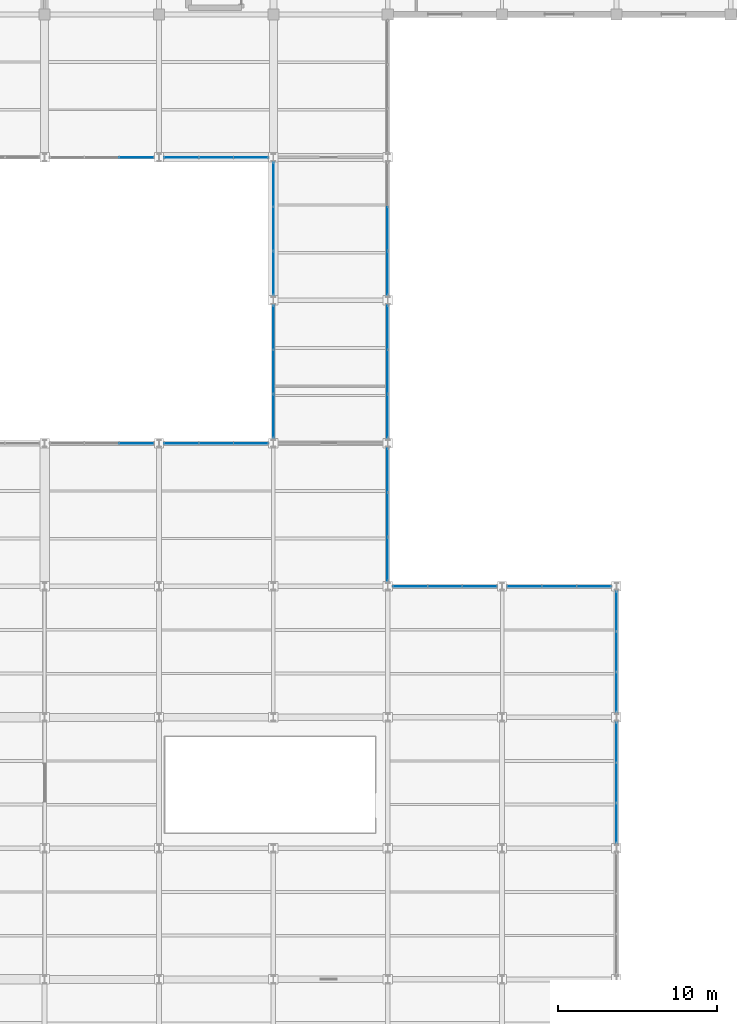
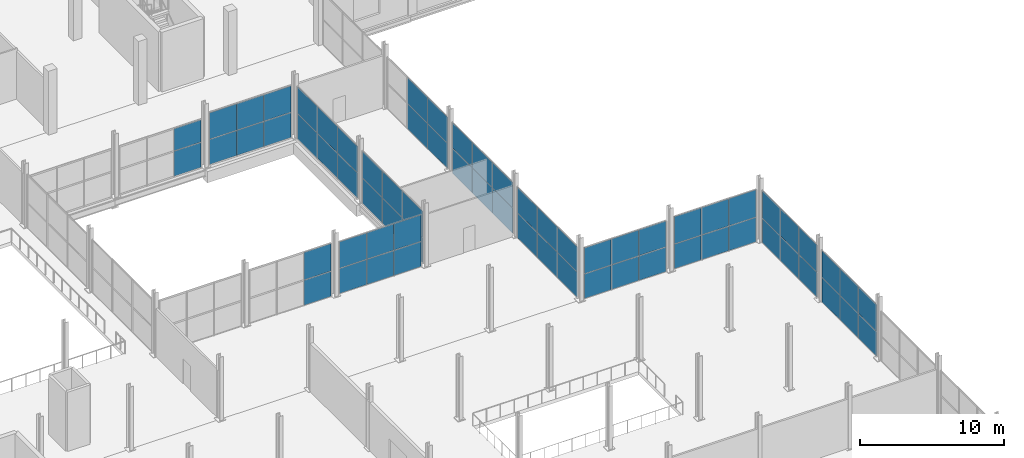
# One storey, part 118 of 147: 68 plates, 13 elements without a shape of their own.
"""IFC4 building model written with IfcOpenShell, lengths in metres."""

from ifc_helpers import new_model, si_unit, direction, frame, origin, origin_2d, place, context, subcontext, project, spatial, rectangle, extrude, material, layer, layer_set, type_object, element, aggregate, save


model = new_model("IFC4")

# Units and contexts
model_context = context("Model", 3, precision=1e-05, world=origin(), true_north=direction((0.0, 1.0)))
body_context = subcontext(model_context, "Body", "Model", "MODEL_VIEW")
ifc_project = project(units=[si_unit("LENGTHUNIT", "METRE"), si_unit("AREAUNIT", "SQUARE_METRE"), si_unit("VOLUMEUNIT", "CUBIC_METRE"), si_unit("PLANEANGLEUNIT", "RADIAN"), si_unit("MASSUNIT", "GRAM", prefix="KILO")], contexts=[model_context])

# Site, building, storey
site_placement = place(None, origin())
site = spatial("IfcSite", under=ifc_project, at=site_placement, CompositionType="ELEMENT")
building_placement = place(site_placement, origin())
building = spatial("IfcBuilding", under=site, at=building_placement, Name="Sundgate Opera House", CompositionType="ELEMENT")
storey_placement = place(building_placement, frame((0.0, 0.0, 6.0)))
storey = spatial("IfcBuildingStorey", under=building, at=storey_placement, Name="L01", CompositionType="ELEMENT", Elevation=6.0)

# Curtain wall, plates
ifc_material_1 = material(Name="Anodized aluminium and low-iron glass", Category="aluminium")
ifc_layer_1 = layer(ifc_material_1, 0.159912109375)
ifc_layer_set_1 = layer_set([ifc_layer_1], Name="Anodized aluminium and low-iron glass")
curtain_wall_type_1 = type_object("IfcCurtainWallType", Name="CW-STUDIO-DARK", PredefinedType="NOTDEFINED", material=ifc_layer_set_1)
curtain_wall_1_placement = place(storey_placement, origin())
curtain_wall_1 = element("IfcCurtainWall", 1, at=curtain_wall_1_placement, inside=storey, type_object=curtain_wall_type_1, Name="L01 Curtain Wall CW045", PredefinedType="NOTDEFINED")
ifc_material_2 = material(Name="Dark solar-control triple acoustic glazing", Category="glass")
ifc_layer_2 = layer(ifc_material_2, 0.031982421875)
ifc_layer_set_2 = layer_set([ifc_layer_2], Name="Dark solar-control triple acoustic glazing")
plate_type = type_object("IfcPlateType", Name="CWP-DARK-32", PredefinedType="CURTAIN_PANEL", material=ifc_layer_set_2)
plate_1_placement = place(storey_placement, frame((145.800048828125, 34.716552734375, 0.02001953125), z_axis=(0.0, 0.0, 1.0), x_axis=(0.0, 1.0, 0.0)))
plate_1 = element("IfcPlate", 2, at=plate_1_placement, type_object=plate_type, Name="CW045 Panel 1", PredefinedType="CURTAIN_PANEL", context=body_context, shape_type="SweptSolid", body=[
    extrude(rectangle(XDim=2.743408203125, YDim=0.031982421875, at=origin_2d()), origin(), (0.0, 0.0, 1.0), 2.110107421875),
])
plate_2_placement = place(storey_placement, frame((145.800048828125, 34.716552734375, 2.169921875), z_axis=(0.0, 0.0, 1.0), x_axis=(0.0, 1.0, 0.0)))
plate_2 = element("IfcPlate", 3, at=plate_2_placement, type_object=plate_type, Name="CW045 Panel 2", PredefinedType="CURTAIN_PANEL", context=body_context, shape_type="SweptSolid", body=[
    extrude(rectangle(XDim=2.743408203125, YDim=0.031982421875, at=origin_2d()), origin(), (0.0, 0.0, 1.0), 2.125),
])
plate_3_placement = place(storey_placement, frame((145.800048828125, 37.5, 0.02001953125), z_axis=(0.0, 0.0, 1.0), x_axis=(0.0, 1.0, 0.0)))
plate_3 = element("IfcPlate", 4, at=plate_3_placement, type_object=plate_type, Name="CW045 Panel 3", PredefinedType="CURTAIN_PANEL", context=body_context, shape_type="SweptSolid", body=[
    extrude(rectangle(XDim=2.743408203125, YDim=0.031982421875, at=origin_2d()), origin(), (0.0, 0.0, 1.0), 2.110107421875),
])
plate_4_placement = place(storey_placement, frame((145.800048828125, 37.5, 2.169921875), z_axis=(0.0, 0.0, 1.0), x_axis=(0.0, 1.0, 0.0)))
plate_4 = element("IfcPlate", 5, at=plate_4_placement, type_object=plate_type, Name="CW045 Panel 4", PredefinedType="CURTAIN_PANEL", context=body_context, shape_type="SweptSolid", body=[
    extrude(rectangle(XDim=2.743408203125, YDim=0.031982421875, at=origin_2d()), origin(), (0.0, 0.0, 1.0), 2.125),
])
plate_5_placement = place(storey_placement, frame((145.800048828125, 40.283447265625, 0.02001953125), z_axis=(0.0, 0.0, 1.0), x_axis=(0.0, 1.0, 0.0)))
plate_5 = element("IfcPlate", 6, at=plate_5_placement, type_object=plate_type, Name="CW045 Panel 5", PredefinedType="CURTAIN_PANEL", context=body_context, shape_type="SweptSolid", body=[
    extrude(rectangle(XDim=2.743408203125, YDim=0.031982421875, at=origin_2d()), origin(), (0.0, 0.0, 1.0), 2.110107421875),
])
plate_6_placement = place(storey_placement, frame((145.800048828125, 40.283447265625, 2.169921875), z_axis=(0.0, 0.0, 1.0), x_axis=(0.0, 1.0, 0.0)))
plate_6 = element("IfcPlate", 7, at=plate_6_placement, type_object=plate_type, Name="CW045 Panel 6", PredefinedType="CURTAIN_PANEL", context=body_context, shape_type="SweptSolid", body=[
    extrude(rectangle(XDim=2.743408203125, YDim=0.031982421875, at=origin_2d()), origin(), (0.0, 0.0, 1.0), 2.125),
])
aggregate(curtain_wall_1, [plate_1, plate_2, plate_3, plate_4, plate_5, plate_6])

curtain_wall_2_placement = place(storey_placement, origin())
curtain_wall_2 = element("IfcCurtainWall", 8, at=curtain_wall_2_placement, inside=storey, type_object=curtain_wall_type_1, Name="L01 Curtain Wall CW047", PredefinedType="NOTDEFINED")
plate_7_placement = place(storey_placement, frame((145.800048828125, 43.716552734375, 0.02001953125), z_axis=(0.0, 0.0, 1.0), x_axis=(0.0, 1.0, 0.0)))
plate_7 = element("IfcPlate", 9, at=plate_7_placement, type_object=plate_type, Name="CW047 Panel 1", PredefinedType="CURTAIN_PANEL", context=body_context, shape_type="SweptSolid", body=[
    extrude(rectangle(XDim=2.743408203125, YDim=0.031982421875, at=origin_2d()), origin(), (0.0, 0.0, 1.0), 2.110107421875),
])
plate_8_placement = place(storey_placement, frame((145.800048828125, 43.716552734375, 2.169921875), z_axis=(0.0, 0.0, 1.0), x_axis=(0.0, 1.0, 0.0)))
plate_8 = element("IfcPlate", 10, at=plate_8_placement, type_object=plate_type, Name="CW047 Panel 2", PredefinedType="CURTAIN_PANEL", context=body_context, shape_type="SweptSolid", body=[
    extrude(rectangle(XDim=2.743408203125, YDim=0.031982421875, at=origin_2d()), origin(), (0.0, 0.0, 1.0), 2.125),
])
plate_9_placement = place(storey_placement, frame((145.800048828125, 46.5, 0.02001953125), z_axis=(0.0, 0.0, 1.0), x_axis=(0.0, 1.0, 0.0)))
plate_9 = element("IfcPlate", 11, at=plate_9_placement, type_object=plate_type, Name="CW047 Panel 3", PredefinedType="CURTAIN_PANEL", context=body_context, shape_type="SweptSolid", body=[
    extrude(rectangle(XDim=2.743408203125, YDim=0.031982421875, at=origin_2d()), origin(), (0.0, 0.0, 1.0), 2.110107421875),
])
plate_10_placement = place(storey_placement, frame((145.800048828125, 46.5, 2.169921875), z_axis=(0.0, 0.0, 1.0), x_axis=(0.0, 1.0, 0.0)))
plate_10 = element("IfcPlate", 12, at=plate_10_placement, type_object=plate_type, Name="CW047 Panel 4", PredefinedType="CURTAIN_PANEL", context=body_context, shape_type="SweptSolid", body=[
    extrude(rectangle(XDim=2.743408203125, YDim=0.031982421875, at=origin_2d()), origin(), (0.0, 0.0, 1.0), 2.125),
])
plate_11_placement = place(storey_placement, frame((145.800048828125, 49.283447265625, 0.02001953125), z_axis=(0.0, 0.0, 1.0), x_axis=(0.0, 1.0, 0.0)))
plate_11 = element("IfcPlate", 13, at=plate_11_placement, type_object=plate_type, Name="CW047 Panel 5", PredefinedType="CURTAIN_PANEL", context=body_context, shape_type="SweptSolid", body=[
    extrude(rectangle(XDim=2.743408203125, YDim=0.031982421875, at=origin_2d()), origin(), (0.0, 0.0, 1.0), 2.110107421875),
])
plate_12_placement = place(storey_placement, frame((145.800048828125, 49.283447265625, 2.169921875), z_axis=(0.0, 0.0, 1.0), x_axis=(0.0, 1.0, 0.0)))
plate_12 = element("IfcPlate", 14, at=plate_12_placement, type_object=plate_type, Name="CW047 Panel 6", PredefinedType="CURTAIN_PANEL", context=body_context, shape_type="SweptSolid", body=[
    extrude(rectangle(XDim=2.743408203125, YDim=0.031982421875, at=origin_2d()), origin(), (0.0, 0.0, 1.0), 2.125),
])
aggregate(curtain_wall_2, [plate_7, plate_8, plate_9, plate_10, plate_11, plate_12])

curtain_wall_3_placement = place(storey_placement, origin())
curtain_wall_3 = element("IfcCurtainWall", 15, at=curtain_wall_3_placement, inside=storey, type_object=curtain_wall_type_1, Name="L01 Curtain Wall CW049", PredefinedType="NOTDEFINED")
plate_13_placement = place(storey_placement, frame((145.800048828125, 52.716552734375, 0.02001953125), z_axis=(0.0, 0.0, 1.0), x_axis=(0.0, 1.0, 0.0)))
plate_13 = element("IfcPlate", 16, at=plate_13_placement, type_object=plate_type, Name="CW049 Panel 1", PredefinedType="CURTAIN_PANEL", context=body_context, shape_type="SweptSolid", body=[
    extrude(rectangle(XDim=2.743408203125, YDim=0.031982421875, at=origin_2d()), origin(), (0.0, 0.0, 1.0), 2.110107421875),
])
plate_14_placement = place(storey_placement, frame((145.800048828125, 52.716552734375, 2.169921875), z_axis=(0.0, 0.0, 1.0), x_axis=(0.0, 1.0, 0.0)))
plate_14 = element("IfcPlate", 17, at=plate_14_placement, type_object=plate_type, Name="CW049 Panel 2", PredefinedType="CURTAIN_PANEL", context=body_context, shape_type="SweptSolid", body=[
    extrude(rectangle(XDim=2.743408203125, YDim=0.031982421875, at=origin_2d()), origin(), (0.0, 0.0, 1.0), 2.175048828125),
])
plate_15_placement = place(storey_placement, frame((145.800048828125, 55.5, 0.02001953125), z_axis=(0.0, 0.0, 1.0), x_axis=(0.0, 1.0, 0.0)))
plate_15 = element("IfcPlate", 18, at=plate_15_placement, type_object=plate_type, Name="CW049 Panel 3", PredefinedType="CURTAIN_PANEL", context=body_context, shape_type="SweptSolid", body=[
    extrude(rectangle(XDim=2.743408203125, YDim=0.031982421875, at=origin_2d()), origin(), (0.0, 0.0, 1.0), 2.110107421875),
])
plate_16_placement = place(storey_placement, frame((145.800048828125, 55.5, 2.169921875), z_axis=(0.0, 0.0, 1.0), x_axis=(0.0, 1.0, 0.0)))
plate_16 = element("IfcPlate", 19, at=plate_16_placement, type_object=plate_type, Name="CW049 Panel 4", PredefinedType="CURTAIN_PANEL", context=body_context, shape_type="SweptSolid", body=[
    extrude(rectangle(XDim=2.743408203125, YDim=0.031982421875, at=origin_2d()), origin(), (0.0, 0.0, 1.0), 2.175048828125),
])
aggregate(curtain_wall_3, [plate_13, plate_14, plate_15, plate_16])

curtain_wall_4_placement = place(storey_placement, origin())
curtain_wall_4 = element("IfcCurtainWall", 20, at=curtain_wall_4_placement, inside=storey, type_object=curtain_wall_type_1, Name="L01 Curtain Wall CW054", PredefinedType="NOTDEFINED")
plate_17_placement = place(storey_placement, frame((129.9833984375, 42.0, 0.02001953125), z_axis=(0.0, 0.0, 1.0), x_axis=(1.0, 0.0, 0.0)))
plate_17 = element("IfcPlate", 21, at=plate_17_placement, type_object=plate_type, Name="CW054 Panel 5", PredefinedType="CURTAIN_PANEL", context=body_context, shape_type="SweptSolid", body=[
    extrude(rectangle(XDim=2.143310546875, YDim=0.031982421875, at=origin_2d()), origin(), (0.0, 0.0, 1.0), 2.110107421875),
])
plate_18_placement = place(storey_placement, frame((129.9833984375, 42.0, 2.169921875), z_axis=(0.0, 0.0, 1.0), x_axis=(1.0, 0.0, 0.0)))
plate_18 = element("IfcPlate", 22, at=plate_18_placement, type_object=plate_type, Name="CW054 Panel 6", PredefinedType="CURTAIN_PANEL", context=body_context, shape_type="SweptSolid", body=[
    extrude(rectangle(XDim=2.143310546875, YDim=0.031982421875, at=origin_2d()), origin(), (0.0, 0.0, 1.0), 2.324951171875),
])
aggregate(curtain_wall_4, [plate_17, plate_18])

curtain_wall_5_placement = place(storey_placement, origin())
curtain_wall_5 = element("IfcCurtainWall", 23, at=curtain_wall_5_placement, inside=storey, type_object=curtain_wall_type_1, Name="L01 Curtain Wall CW055", PredefinedType="NOTDEFINED")
plate_19_placement = place(storey_placement, frame((129.9833984375, 60.0, 0.02001953125), z_axis=(0.0, 0.0, 1.0), x_axis=(-1.0, 0.0, 0.0)))
plate_19 = element("IfcPlate", 24, at=plate_19_placement, type_object=plate_type, Name="CW055 Panel 1", PredefinedType="CURTAIN_PANEL", context=body_context, shape_type="SweptSolid", body=[
    extrude(rectangle(XDim=2.143310546875, YDim=0.031982421875, at=origin_2d()), origin(), (0.0, 0.0, 1.0), 2.110107421875),
])
plate_20_placement = place(storey_placement, frame((129.9833984375, 60.0, 2.169921875), z_axis=(0.0, 0.0, 1.0), x_axis=(-1.0, 0.0, 0.0)))
plate_20 = element("IfcPlate", 25, at=plate_20_placement, type_object=plate_type, Name="CW055 Panel 2", PredefinedType="CURTAIN_PANEL", context=body_context, shape_type="SweptSolid", body=[
    extrude(rectangle(XDim=2.143310546875, YDim=0.031982421875, at=origin_2d()), origin(), (0.0, 0.0, 1.0), 1.875),
])
aggregate(curtain_wall_5, [plate_19, plate_20])

curtain_wall_6_placement = place(storey_placement, origin())
curtain_wall_6 = element("IfcCurtainWall", 26, at=curtain_wall_6_placement, inside=storey, type_object=curtain_wall_type_1, Name="L01 Curtain Wall CW056", PredefinedType="NOTDEFINED")
plate_21_placement = place(storey_placement, frame((132.816650390625, 42.0, 0.02001953125), z_axis=(0.0, 0.0, 1.0), x_axis=(1.0, 0.0, 0.0)))
plate_21 = element("IfcPlate", 27, at=plate_21_placement, type_object=plate_type, Name="CW056 Panel 1", PredefinedType="CURTAIN_PANEL", context=body_context, shape_type="SweptSolid", body=[
    extrude(rectangle(XDim=2.143310546875, YDim=0.031982421875, at=origin_2d()), origin(), (0.0, 0.0, 1.0), 2.110107421875),
])
plate_22_placement = place(storey_placement, frame((132.816650390625, 42.0, 2.169921875), z_axis=(0.0, 0.0, 1.0), x_axis=(1.0, 0.0, 0.0)))
plate_22 = element("IfcPlate", 28, at=plate_22_placement, type_object=plate_type, Name="CW056 Panel 2", PredefinedType="CURTAIN_PANEL", context=body_context, shape_type="SweptSolid", body=[
    extrude(rectangle(XDim=2.143310546875, YDim=0.031982421875, at=origin_2d()), origin(), (0.0, 0.0, 1.0), 2.22509765625),
])
plate_23_placement = place(storey_placement, frame((135.0, 42.0, 0.02001953125), z_axis=(0.0, 0.0, 1.0), x_axis=(1.0, 0.0, 0.0)))
plate_23 = element("IfcPlate", 29, at=plate_23_placement, type_object=plate_type, Name="CW056 Panel 3", PredefinedType="CURTAIN_PANEL", context=body_context, shape_type="SweptSolid", body=[
    extrude(rectangle(XDim=2.143310546875, YDim=0.031982421875, at=origin_2d()), origin(), (0.0, 0.0, 1.0), 2.110107421875),
])
plate_24_placement = place(storey_placement, frame((135.0, 42.0, 2.169921875), z_axis=(0.0, 0.0, 1.0), x_axis=(1.0, 0.0, 0.0)))
plate_24 = element("IfcPlate", 30, at=plate_24_placement, type_object=plate_type, Name="CW056 Panel 4", PredefinedType="CURTAIN_PANEL", context=body_context, shape_type="SweptSolid", body=[
    extrude(rectangle(XDim=2.143310546875, YDim=0.031982421875, at=origin_2d()), origin(), (0.0, 0.0, 1.0), 2.22509765625),
])
plate_25_placement = place(storey_placement, frame((137.183349609375, 42.0, 0.02001953125), z_axis=(0.0, 0.0, 1.0), x_axis=(1.0, 0.0, 0.0)))
plate_25 = element("IfcPlate", 31, at=plate_25_placement, type_object=plate_type, Name="CW056 Panel 5", PredefinedType="CURTAIN_PANEL", context=body_context, shape_type="SweptSolid", body=[
    extrude(rectangle(XDim=2.143310546875, YDim=0.031982421875, at=origin_2d()), origin(), (0.0, 0.0, 1.0), 2.110107421875),
])
plate_26_placement = place(storey_placement, frame((137.183349609375, 42.0, 2.169921875), z_axis=(0.0, 0.0, 1.0), x_axis=(1.0, 0.0, 0.0)))
plate_26 = element("IfcPlate", 32, at=plate_26_placement, type_object=plate_type, Name="CW056 Panel 6", PredefinedType="CURTAIN_PANEL", context=body_context, shape_type="SweptSolid", body=[
    extrude(rectangle(XDim=2.143310546875, YDim=0.031982421875, at=origin_2d()), origin(), (0.0, 0.0, 1.0), 2.22509765625),
])
aggregate(curtain_wall_6, [plate_21, plate_22, plate_23, plate_24, plate_25, plate_26])

curtain_wall_7_placement = place(storey_placement, origin())
curtain_wall_7 = element("IfcCurtainWall", 33, at=curtain_wall_7_placement, inside=storey, type_object=curtain_wall_type_1, Name="L01 Curtain Wall CW057", PredefinedType="NOTDEFINED")
plate_27_placement = place(storey_placement, frame((137.183349609375, 60.0, 0.02001953125), z_axis=(0.0, 0.0, 1.0), x_axis=(-1.0, 0.0, 0.0)))
plate_27 = element("IfcPlate", 34, at=plate_27_placement, type_object=plate_type, Name="CW057 Panel 1", PredefinedType="CURTAIN_PANEL", context=body_context, shape_type="SweptSolid", body=[
    extrude(rectangle(XDim=2.143310546875, YDim=0.031982421875, at=origin_2d()), origin(), (0.0, 0.0, 1.0), 2.110107421875),
])
plate_28_placement = place(storey_placement, frame((137.183349609375, 60.0, 2.169921875), z_axis=(0.0, 0.0, 1.0), x_axis=(-1.0, 0.0, 0.0)))
plate_28 = element("IfcPlate", 35, at=plate_28_placement, type_object=plate_type, Name="CW057 Panel 2", PredefinedType="CURTAIN_PANEL", context=body_context, shape_type="SweptSolid", body=[
    extrude(rectangle(XDim=2.143310546875, YDim=0.031982421875, at=origin_2d()), origin(), (0.0, 0.0, 1.0), 2.22509765625),
])
plate_29_placement = place(storey_placement, frame((135.0, 60.0, 0.02001953125), z_axis=(0.0, 0.0, 1.0), x_axis=(-1.0, 0.0, 0.0)))
plate_29 = element("IfcPlate", 36, at=plate_29_placement, type_object=plate_type, Name="CW057 Panel 3", PredefinedType="CURTAIN_PANEL", context=body_context, shape_type="SweptSolid", body=[
    extrude(rectangle(XDim=2.143310546875, YDim=0.031982421875, at=origin_2d()), origin(), (0.0, 0.0, 1.0), 2.110107421875),
])
plate_30_placement = place(storey_placement, frame((135.0, 60.0, 2.169921875), z_axis=(0.0, 0.0, 1.0), x_axis=(-1.0, 0.0, 0.0)))
plate_30 = element("IfcPlate", 37, at=plate_30_placement, type_object=plate_type, Name="CW057 Panel 4", PredefinedType="CURTAIN_PANEL", context=body_context, shape_type="SweptSolid", body=[
    extrude(rectangle(XDim=2.143310546875, YDim=0.031982421875, at=origin_2d()), origin(), (0.0, 0.0, 1.0), 2.22509765625),
])
plate_31_placement = place(storey_placement, frame((132.816650390625, 60.0, 0.02001953125), z_axis=(0.0, 0.0, 1.0), x_axis=(-1.0, 0.0, 0.0)))
plate_31 = element("IfcPlate", 38, at=plate_31_placement, type_object=plate_type, Name="CW057 Panel 5", PredefinedType="CURTAIN_PANEL", context=body_context, shape_type="SweptSolid", body=[
    extrude(rectangle(XDim=2.143310546875, YDim=0.031982421875, at=origin_2d()), origin(), (0.0, 0.0, 1.0), 2.110107421875),
])
plate_32_placement = place(storey_placement, frame((132.816650390625, 60.0, 2.169921875), z_axis=(0.0, 0.0, 1.0), x_axis=(-1.0, 0.0, 0.0)))
plate_32 = element("IfcPlate", 39, at=plate_32_placement, type_object=plate_type, Name="CW057 Panel 6", PredefinedType="CURTAIN_PANEL", context=body_context, shape_type="SweptSolid", body=[
    extrude(rectangle(XDim=2.143310546875, YDim=0.031982421875, at=origin_2d()), origin(), (0.0, 0.0, 1.0), 2.22509765625),
])
aggregate(curtain_wall_7, [plate_27, plate_28, plate_29, plate_30, plate_31, plate_32])

curtain_wall_8_placement = place(storey_placement, origin())
curtain_wall_8 = element("IfcCurtainWall", 40, at=curtain_wall_8_placement, inside=storey, type_object=curtain_wall_type_1, Name="L01 Curtain Wall CW059", PredefinedType="NOTDEFINED")
plate_33_placement = place(storey_placement, frame((138.60009765625, 49.283447265625, 0.02001953125), z_axis=(0.0, 0.0, 1.0), x_axis=(0.0, -1.0, 0.0)))
plate_33 = element("IfcPlate", 41, at=plate_33_placement, type_object=plate_type, Name="CW059 Panel 1", PredefinedType="CURTAIN_PANEL", context=body_context, shape_type="SweptSolid", body=[
    extrude(rectangle(XDim=2.743408203125, YDim=0.031982421875, at=origin_2d()), origin(), (0.0, 0.0, 1.0), 2.110107421875),
])
plate_34_placement = place(storey_placement, frame((138.60009765625, 49.283447265625, 2.169921875), z_axis=(0.0, 0.0, 1.0), x_axis=(0.0, -1.0, 0.0)))
plate_34 = element("IfcPlate", 42, at=plate_34_placement, type_object=plate_type, Name="CW059 Panel 2", PredefinedType="CURTAIN_PANEL", context=body_context, shape_type="SweptSolid", body=[
    extrude(rectangle(XDim=2.743408203125, YDim=0.031982421875, at=origin_2d()), origin(), (0.0, 0.0, 1.0), 2.22509765625),
])
plate_35_placement = place(storey_placement, frame((138.60009765625, 46.5, 0.02001953125), z_axis=(0.0, 0.0, 1.0), x_axis=(0.0, -1.0, 0.0)))
plate_35 = element("IfcPlate", 43, at=plate_35_placement, type_object=plate_type, Name="CW059 Panel 3", PredefinedType="CURTAIN_PANEL", context=body_context, shape_type="SweptSolid", body=[
    extrude(rectangle(XDim=2.743408203125, YDim=0.031982421875, at=origin_2d()), origin(), (0.0, 0.0, 1.0), 2.110107421875),
])
plate_36_placement = place(storey_placement, frame((138.60009765625, 46.5, 2.169921875), z_axis=(0.0, 0.0, 1.0), x_axis=(0.0, -1.0, 0.0)))
plate_36 = element("IfcPlate", 44, at=plate_36_placement, type_object=plate_type, Name="CW059 Panel 4", PredefinedType="CURTAIN_PANEL", context=body_context, shape_type="SweptSolid", body=[
    extrude(rectangle(XDim=2.743408203125, YDim=0.031982421875, at=origin_2d()), origin(), (0.0, 0.0, 1.0), 2.22509765625),
])
plate_37_placement = place(storey_placement, frame((138.60009765625, 43.716552734375, 0.02001953125), z_axis=(0.0, 0.0, 1.0), x_axis=(0.0, -1.0, 0.0)))
plate_37 = element("IfcPlate", 45, at=plate_37_placement, type_object=plate_type, Name="CW059 Panel 5", PredefinedType="CURTAIN_PANEL", context=body_context, shape_type="SweptSolid", body=[
    extrude(rectangle(XDim=2.743408203125, YDim=0.031982421875, at=origin_2d()), origin(), (0.0, 0.0, 1.0), 2.110107421875),
])
plate_38_placement = place(storey_placement, frame((138.60009765625, 43.716552734375, 2.169921875), z_axis=(0.0, 0.0, 1.0), x_axis=(0.0, -1.0, 0.0)))
plate_38 = element("IfcPlate", 46, at=plate_38_placement, type_object=plate_type, Name="CW059 Panel 6", PredefinedType="CURTAIN_PANEL", context=body_context, shape_type="SweptSolid", body=[
    extrude(rectangle(XDim=2.743408203125, YDim=0.031982421875, at=origin_2d()), origin(), (0.0, 0.0, 1.0), 2.22509765625),
])
aggregate(curtain_wall_8, [plate_33, plate_34, plate_35, plate_36, plate_37, plate_38])

curtain_wall_9_placement = place(storey_placement, origin())
curtain_wall_9 = element("IfcCurtainWall", 47, at=curtain_wall_9_placement, inside=storey, type_object=curtain_wall_type_1, Name="L01 Curtain Wall CW061", PredefinedType="NOTDEFINED")
plate_39_placement = place(storey_placement, frame((138.60009765625, 58.283447265625, 0.02001953125), z_axis=(0.0, 0.0, 1.0), x_axis=(0.0, -1.0, 0.0)))
plate_39 = element("IfcPlate", 48, at=plate_39_placement, type_object=plate_type, Name="CW061 Panel 1", PredefinedType="CURTAIN_PANEL", context=body_context, shape_type="SweptSolid", body=[
    extrude(rectangle(XDim=2.743408203125, YDim=0.031982421875, at=origin_2d()), origin(), (0.0, 0.0, 1.0), 2.110107421875),
])
plate_40_placement = place(storey_placement, frame((138.60009765625, 58.283447265625, 2.169921875), z_axis=(0.0, 0.0, 1.0), x_axis=(0.0, -1.0, 0.0)))
plate_40 = element("IfcPlate", 49, at=plate_40_placement, type_object=plate_type, Name="CW061 Panel 2", PredefinedType="CURTAIN_PANEL", context=body_context, shape_type="SweptSolid", body=[
    extrude(rectangle(XDim=2.743408203125, YDim=0.031982421875, at=origin_2d()), origin(), (0.0, 0.0, 1.0), 2.22509765625),
])
plate_41_placement = place(storey_placement, frame((138.60009765625, 55.5, 0.02001953125), z_axis=(0.0, 0.0, 1.0), x_axis=(0.0, -1.0, 0.0)))
plate_41 = element("IfcPlate", 50, at=plate_41_placement, type_object=plate_type, Name="CW061 Panel 3", PredefinedType="CURTAIN_PANEL", context=body_context, shape_type="SweptSolid", body=[
    extrude(rectangle(XDim=2.743408203125, YDim=0.031982421875, at=origin_2d()), origin(), (0.0, 0.0, 1.0), 2.110107421875),
])
plate_42_placement = place(storey_placement, frame((138.60009765625, 55.5, 2.169921875), z_axis=(0.0, 0.0, 1.0), x_axis=(0.0, -1.0, 0.0)))
plate_42 = element("IfcPlate", 51, at=plate_42_placement, type_object=plate_type, Name="CW061 Panel 4", PredefinedType="CURTAIN_PANEL", context=body_context, shape_type="SweptSolid", body=[
    extrude(rectangle(XDim=2.743408203125, YDim=0.031982421875, at=origin_2d()), origin(), (0.0, 0.0, 1.0), 2.22509765625),
])
plate_43_placement = place(storey_placement, frame((138.60009765625, 52.716552734375, 0.02001953125), z_axis=(0.0, 0.0, 1.0), x_axis=(0.0, -1.0, 0.0)))
plate_43 = element("IfcPlate", 52, at=plate_43_placement, type_object=plate_type, Name="CW061 Panel 5", PredefinedType="CURTAIN_PANEL", context=body_context, shape_type="SweptSolid", body=[
    extrude(rectangle(XDim=2.743408203125, YDim=0.031982421875, at=origin_2d()), origin(), (0.0, 0.0, 1.0), 2.110107421875),
])
plate_44_placement = place(storey_placement, frame((138.60009765625, 52.716552734375, 2.169921875), z_axis=(0.0, 0.0, 1.0), x_axis=(0.0, -1.0, 0.0)))
plate_44 = element("IfcPlate", 53, at=plate_44_placement, type_object=plate_type, Name="CW061 Panel 6", PredefinedType="CURTAIN_PANEL", context=body_context, shape_type="SweptSolid", body=[
    extrude(rectangle(XDim=2.743408203125, YDim=0.031982421875, at=origin_2d()), origin(), (0.0, 0.0, 1.0), 2.22509765625),
])
aggregate(curtain_wall_9, [plate_39, plate_40, plate_41, plate_42, plate_43, plate_44])

ifc_material_3 = material(Name="Anodized aluminium and low-iron glass", Category="aluminium")
ifc_layer_3 = layer(ifc_material_3, 0.14990234375)
ifc_layer_set_3 = layer_set([ifc_layer_3], Name="Anodized aluminium and low-iron glass")
curtain_wall_type_2 = type_object("IfcCurtainWallType", Name="CW-WORKSHOP-DARK", PredefinedType="NOTDEFINED", material=ifc_layer_set_3)
curtain_wall_10_placement = place(storey_placement, origin())
curtain_wall_10 = element("IfcCurtainWall", 54, at=curtain_wall_10_placement, inside=storey, type_object=curtain_wall_type_2, Name="L01 Curtain Wall CW150", PredefinedType="NOTDEFINED")
plate_45_placement = place(storey_placement, frame((160.199951171875, 18.091552734375, 0.02001953125), z_axis=(0.0, 0.0, 1.0), x_axis=(0.0, 1.0, 0.0)))
plate_45 = element("IfcPlate", 55, at=plate_45_placement, type_object=plate_type, Name="CW150 Panel 1", PredefinedType="CURTAIN_PANEL", context=body_context, shape_type="SweptSolid", body=[
    extrude(rectangle(XDim=2.493408203125, YDim=0.031982421875, at=origin_2d()), origin(), (0.0, 0.0, 1.0), 2.06005859375),
])
plate_46_placement = place(storey_placement, frame((160.199951171875, 18.091552734375, 2.119873046875), z_axis=(0.0, 0.0, 1.0), x_axis=(0.0, 1.0, 0.0)))
plate_46 = element("IfcPlate", 56, at=plate_46_placement, type_object=plate_type, Name="CW150 Panel 2", PredefinedType="CURTAIN_PANEL", context=body_context, shape_type="SweptSolid", body=[
    extrude(rectangle(XDim=2.493408203125, YDim=0.031982421875, at=origin_2d()), origin(), (0.0, 0.0, 1.0), 2.2451171875),
])
plate_47_placement = place(storey_placement, frame((160.199951171875, 20.625, 0.02001953125), z_axis=(0.0, 0.0, 1.0), x_axis=(0.0, 1.0, 0.0)))
plate_47 = element("IfcPlate", 57, at=plate_47_placement, type_object=plate_type, Name="CW150 Panel 3", PredefinedType="CURTAIN_PANEL", context=body_context, shape_type="SweptSolid", body=[
    extrude(rectangle(XDim=2.493408203125, YDim=0.031982421875, at=origin_2d()), origin(), (0.0, 0.0, 1.0), 2.06005859375),
])
plate_48_placement = place(storey_placement, frame((160.199951171875, 20.625, 2.119873046875), z_axis=(0.0, 0.0, 1.0), x_axis=(0.0, 1.0, 0.0)))
plate_48 = element("IfcPlate", 58, at=plate_48_placement, type_object=plate_type, Name="CW150 Panel 4", PredefinedType="CURTAIN_PANEL", context=body_context, shape_type="SweptSolid", body=[
    extrude(rectangle(XDim=2.493408203125, YDim=0.031982421875, at=origin_2d()), origin(), (0.0, 0.0, 1.0), 2.2451171875),
])
plate_49_placement = place(storey_placement, frame((160.199951171875, 23.158447265625, 0.02001953125), z_axis=(0.0, 0.0, 1.0), x_axis=(0.0, 1.0, 0.0)))
plate_49 = element("IfcPlate", 59, at=plate_49_placement, type_object=plate_type, Name="CW150 Panel 5", PredefinedType="CURTAIN_PANEL", context=body_context, shape_type="SweptSolid", body=[
    extrude(rectangle(XDim=2.493408203125, YDim=0.031982421875, at=origin_2d()), origin(), (0.0, 0.0, 1.0), 2.06005859375),
])
plate_50_placement = place(storey_placement, frame((160.199951171875, 23.158447265625, 2.119873046875), z_axis=(0.0, 0.0, 1.0), x_axis=(0.0, 1.0, 0.0)))
plate_50 = element("IfcPlate", 60, at=plate_50_placement, type_object=plate_type, Name="CW150 Panel 6", PredefinedType="CURTAIN_PANEL", context=body_context, shape_type="SweptSolid", body=[
    extrude(rectangle(XDim=2.493408203125, YDim=0.031982421875, at=origin_2d()), origin(), (0.0, 0.0, 1.0), 2.2451171875),
])
aggregate(curtain_wall_10, [plate_45, plate_46, plate_47, plate_48, plate_49, plate_50])

curtain_wall_11_placement = place(storey_placement, origin())
curtain_wall_11 = element("IfcCurtainWall", 61, at=curtain_wall_11_placement, inside=storey, type_object=curtain_wall_type_2, Name="L01 Curtain Wall CW151", PredefinedType="NOTDEFINED")
plate_51_placement = place(storey_placement, frame((160.199951171875, 26.341552734375, 0.02001953125), z_axis=(0.0, 0.0, 1.0), x_axis=(0.0, 1.0, 0.0)))
plate_51 = element("IfcPlate", 62, at=plate_51_placement, type_object=plate_type, Name="CW151 Panel 1", PredefinedType="CURTAIN_PANEL", context=body_context, shape_type="SweptSolid", body=[
    extrude(rectangle(XDim=2.493408203125, YDim=0.031982421875, at=origin_2d()), origin(), (0.0, 0.0, 1.0), 2.06005859375),
])
plate_52_placement = place(storey_placement, frame((160.199951171875, 26.341552734375, 2.1201171875), z_axis=(0.0, 0.0, 1.0), x_axis=(0.0, 1.0, 0.0)))
plate_52 = element("IfcPlate", 63, at=plate_52_placement, type_object=plate_type, Name="CW151 Panel 2", PredefinedType="CURTAIN_PANEL", context=body_context, shape_type="SweptSolid", body=[
    extrude(rectangle(XDim=2.493408203125, YDim=0.031982421875, at=origin_2d()), origin(), (0.0, 0.0, 1.0), 2.294921875),
])
plate_53_placement = place(storey_placement, frame((160.199951171875, 28.875, 0.02001953125), z_axis=(0.0, 0.0, 1.0), x_axis=(0.0, 1.0, 0.0)))
plate_53 = element("IfcPlate", 64, at=plate_53_placement, type_object=plate_type, Name="CW151 Panel 3", PredefinedType="CURTAIN_PANEL", context=body_context, shape_type="SweptSolid", body=[
    extrude(rectangle(XDim=2.493408203125, YDim=0.031982421875, at=origin_2d()), origin(), (0.0, 0.0, 1.0), 2.06005859375),
])
plate_54_placement = place(storey_placement, frame((160.199951171875, 28.875, 2.1201171875), z_axis=(0.0, 0.0, 1.0), x_axis=(0.0, 1.0, 0.0)))
plate_54 = element("IfcPlate", 65, at=plate_54_placement, type_object=plate_type, Name="CW151 Panel 4", PredefinedType="CURTAIN_PANEL", context=body_context, shape_type="SweptSolid", body=[
    extrude(rectangle(XDim=2.493408203125, YDim=0.031982421875, at=origin_2d()), origin(), (0.0, 0.0, 1.0), 2.294921875),
])
plate_55_placement = place(storey_placement, frame((160.199951171875, 31.408447265625, 0.02001953125), z_axis=(0.0, 0.0, 1.0), x_axis=(0.0, 1.0, 0.0)))
plate_55 = element("IfcPlate", 66, at=plate_55_placement, type_object=plate_type, Name="CW151 Panel 5", PredefinedType="CURTAIN_PANEL", context=body_context, shape_type="SweptSolid", body=[
    extrude(rectangle(XDim=2.493408203125, YDim=0.031982421875, at=origin_2d()), origin(), (0.0, 0.0, 1.0), 2.06005859375),
])
plate_56_placement = place(storey_placement, frame((160.199951171875, 31.408447265625, 2.1201171875), z_axis=(0.0, 0.0, 1.0), x_axis=(0.0, 1.0, 0.0)))
plate_56 = element("IfcPlate", 67, at=plate_56_placement, type_object=plate_type, Name="CW151 Panel 6", PredefinedType="CURTAIN_PANEL", context=body_context, shape_type="SweptSolid", body=[
    extrude(rectangle(XDim=2.493408203125, YDim=0.031982421875, at=origin_2d()), origin(), (0.0, 0.0, 1.0), 2.294921875),
])
aggregate(curtain_wall_11, [plate_51, plate_52, plate_53, plate_54, plate_55, plate_56])

curtain_wall_12_placement = place(storey_placement, origin())
curtain_wall_12 = element("IfcCurtainWall", 68, at=curtain_wall_12_placement, inside=storey, type_object=curtain_wall_type_2, Name="L01 Curtain Wall CW152", PredefinedType="NOTDEFINED")
plate_57_placement = place(storey_placement, frame((147.216552734375, 33.0, 0.02001953125), z_axis=(0.0, 0.0, 1.0), x_axis=(1.0, 0.0, 0.0)))
plate_57 = element("IfcPlate", 69, at=plate_57_placement, type_object=plate_type, Name="CW152 Panel 1", PredefinedType="CURTAIN_PANEL", context=body_context, shape_type="SweptSolid", body=[
    extrude(rectangle(XDim=2.143310546875, YDim=0.031982421875, at=origin_2d()), origin(), (0.0, 0.0, 1.0), 2.06005859375),
])
plate_58_placement = place(storey_placement, frame((147.216552734375, 33.0, 2.1201171875), z_axis=(0.0, 0.0, 1.0), x_axis=(1.0, 0.0, 0.0)))
plate_58 = element("IfcPlate", 70, at=plate_58_placement, type_object=plate_type, Name="CW152 Panel 2", PredefinedType="CURTAIN_PANEL", context=body_context, shape_type="SweptSolid", body=[
    extrude(rectangle(XDim=2.143310546875, YDim=0.031982421875, at=origin_2d()), origin(), (0.0, 0.0, 1.0), 2.175048828125),
])
plate_59_placement = place(storey_placement, frame((149.39990234375, 33.0, 0.02001953125), z_axis=(0.0, 0.0, 1.0), x_axis=(1.0, 0.0, 0.0)))
plate_59 = element("IfcPlate", 71, at=plate_59_placement, type_object=plate_type, Name="CW152 Panel 3", PredefinedType="CURTAIN_PANEL", context=body_context, shape_type="SweptSolid", body=[
    extrude(rectangle(XDim=2.143310546875, YDim=0.031982421875, at=origin_2d()), origin(), (0.0, 0.0, 1.0), 2.06005859375),
])
plate_60_placement = place(storey_placement, frame((149.39990234375, 33.0, 2.1201171875), z_axis=(0.0, 0.0, 1.0), x_axis=(1.0, 0.0, 0.0)))
plate_60 = element("IfcPlate", 72, at=plate_60_placement, type_object=plate_type, Name="CW152 Panel 4", PredefinedType="CURTAIN_PANEL", context=body_context, shape_type="SweptSolid", body=[
    extrude(rectangle(XDim=2.143310546875, YDim=0.031982421875, at=origin_2d()), origin(), (0.0, 0.0, 1.0), 2.175048828125),
])
plate_61_placement = place(storey_placement, frame((151.583251953125, 33.0, 0.02001953125), z_axis=(0.0, 0.0, 1.0), x_axis=(1.0, 0.0, 0.0)))
plate_61 = element("IfcPlate", 73, at=plate_61_placement, type_object=plate_type, Name="CW152 Panel 5", PredefinedType="CURTAIN_PANEL", context=body_context, shape_type="SweptSolid", body=[
    extrude(rectangle(XDim=2.143310546875, YDim=0.031982421875, at=origin_2d()), origin(), (0.0, 0.0, 1.0), 2.06005859375),
])
plate_62_placement = place(storey_placement, frame((151.583251953125, 33.0, 2.1201171875), z_axis=(0.0, 0.0, 1.0), x_axis=(1.0, 0.0, 0.0)))
plate_62 = element("IfcPlate", 74, at=plate_62_placement, type_object=plate_type, Name="CW152 Panel 6", PredefinedType="CURTAIN_PANEL", context=body_context, shape_type="SweptSolid", body=[
    extrude(rectangle(XDim=2.143310546875, YDim=0.031982421875, at=origin_2d()), origin(), (0.0, 0.0, 1.0), 2.175048828125),
])
aggregate(curtain_wall_12, [plate_57, plate_58, plate_59, plate_60, plate_61, plate_62])

curtain_wall_13_placement = place(storey_placement, origin())
curtain_wall_13 = element("IfcCurtainWall", 75, at=curtain_wall_13_placement, inside=storey, type_object=curtain_wall_type_2, Name="L01 Curtain Wall CW153", PredefinedType="NOTDEFINED")
plate_63_placement = place(storey_placement, frame((154.416748046875, 33.0, 0.02001953125), z_axis=(0.0, 0.0, 1.0), x_axis=(1.0, 0.0, 0.0)))
plate_63 = element("IfcPlate", 76, at=plate_63_placement, type_object=plate_type, Name="CW153 Panel 1", PredefinedType="CURTAIN_PANEL", context=body_context, shape_type="SweptSolid", body=[
    extrude(rectangle(XDim=2.143310546875, YDim=0.031982421875, at=origin_2d()), origin(), (0.0, 0.0, 1.0), 2.06005859375),
])
plate_64_placement = place(storey_placement, frame((154.416748046875, 33.0, 2.1201171875), z_axis=(0.0, 0.0, 1.0), x_axis=(1.0, 0.0, 0.0)))
plate_64 = element("IfcPlate", 77, at=plate_64_placement, type_object=plate_type, Name="CW153 Panel 2", PredefinedType="CURTAIN_PANEL", context=body_context, shape_type="SweptSolid", body=[
    extrude(rectangle(XDim=2.143310546875, YDim=0.031982421875, at=origin_2d()), origin(), (0.0, 0.0, 1.0), 2.294921875),
])
plate_65_placement = place(storey_placement, frame((156.60009765625, 33.0, 0.02001953125), z_axis=(0.0, 0.0, 1.0), x_axis=(1.0, 0.0, 0.0)))
plate_65 = element("IfcPlate", 78, at=plate_65_placement, type_object=plate_type, Name="CW153 Panel 3", PredefinedType="CURTAIN_PANEL", context=body_context, shape_type="SweptSolid", body=[
    extrude(rectangle(XDim=2.143310546875, YDim=0.031982421875, at=origin_2d()), origin(), (0.0, 0.0, 1.0), 2.06005859375),
])
plate_66_placement = place(storey_placement, frame((156.60009765625, 33.0, 2.1201171875), z_axis=(0.0, 0.0, 1.0), x_axis=(1.0, 0.0, 0.0)))
plate_66 = element("IfcPlate", 79, at=plate_66_placement, type_object=plate_type, Name="CW153 Panel 4", PredefinedType="CURTAIN_PANEL", context=body_context, shape_type="SweptSolid", body=[
    extrude(rectangle(XDim=2.143310546875, YDim=0.031982421875, at=origin_2d()), origin(), (0.0, 0.0, 1.0), 2.294921875),
])
plate_67_placement = place(storey_placement, frame((158.783447265625, 33.0, 0.02001953125), z_axis=(0.0, 0.0, 1.0), x_axis=(1.0, 0.0, 0.0)))
plate_67 = element("IfcPlate", 80, at=plate_67_placement, type_object=plate_type, Name="CW153 Panel 5", PredefinedType="CURTAIN_PANEL", context=body_context, shape_type="SweptSolid", body=[
    extrude(rectangle(XDim=2.143310546875, YDim=0.031982421875, at=origin_2d()), origin(), (0.0, 0.0, 1.0), 2.06005859375),
])
plate_68_placement = place(storey_placement, frame((158.783447265625, 33.0, 2.1201171875), z_axis=(0.0, 0.0, 1.0), x_axis=(1.0, 0.0, 0.0)))
plate_68 = element("IfcPlate", 81, at=plate_68_placement, type_object=plate_type, Name="CW153 Panel 6", PredefinedType="CURTAIN_PANEL", context=body_context, shape_type="SweptSolid", body=[
    extrude(rectangle(XDim=2.143310546875, YDim=0.031982421875, at=origin_2d()), origin(), (0.0, 0.0, 1.0), 2.294921875),
])
aggregate(curtain_wall_13, [plate_63, plate_64, plate_65, plate_66, plate_67, plate_68])

save(model, "model.ifc")
